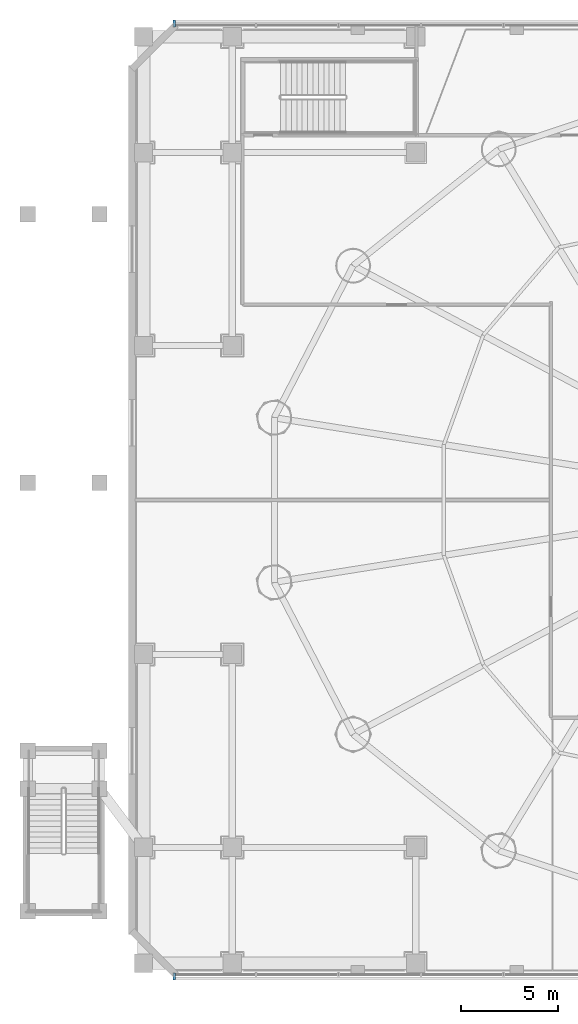
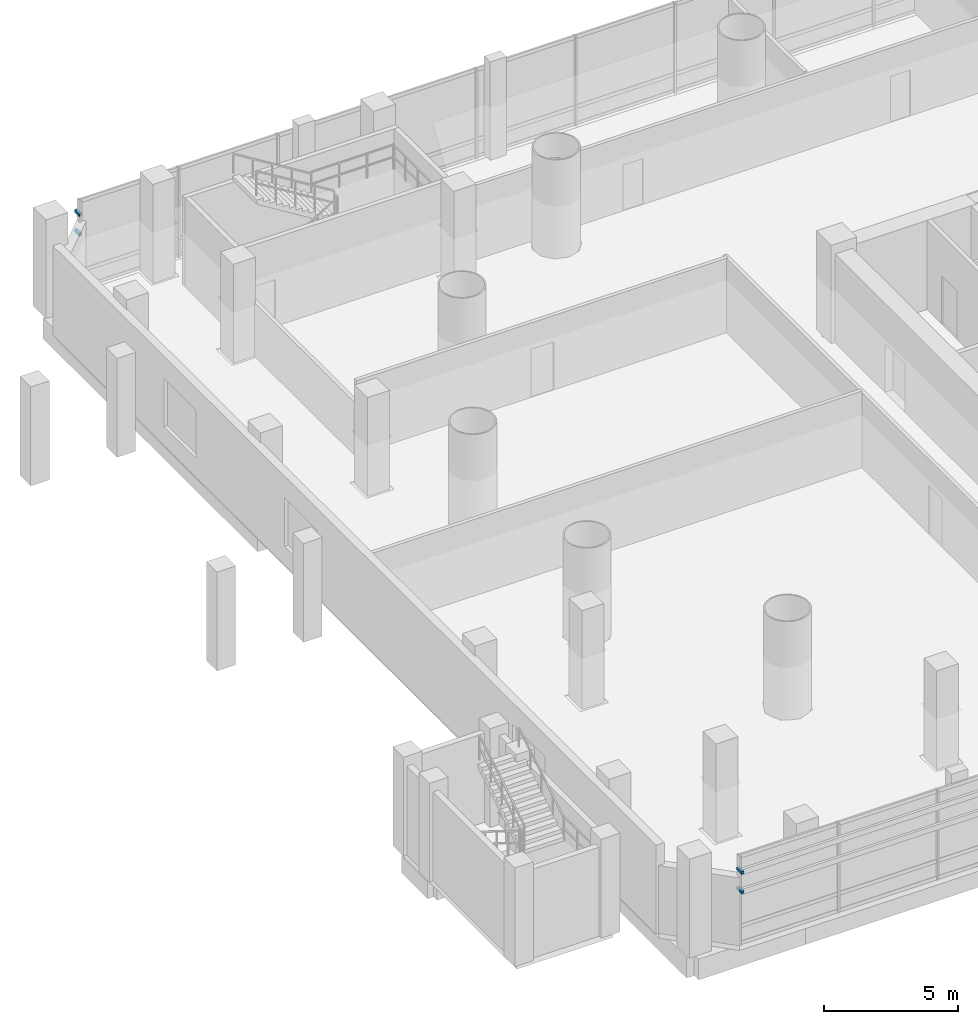
# One storey, part 25 of 36: 4 discrete accessories.
"""IFC4 building model written with IfcOpenShell, lengths in metres."""

from ifc_helpers import new_model, si_unit, direction, frame, origin, origin_2d, place, context, subcontext, project, spatial, rectangle, extrude, source, transform, mapped, material, layer, layer_set, type_object, element, save


model = new_model("IFC4")

# Units and contexts
model_context = context("Model", 3, precision=1e-05, world=origin(), true_north=direction((-0.2419218956, 0.970295726276)))
body_context = subcontext(model_context, "Body", "Model", "MODEL_VIEW")
ifc_project = project(units=[si_unit("LENGTHUNIT", "METRE"), si_unit("AREAUNIT", "SQUARE_METRE"), si_unit("VOLUMEUNIT", "CUBIC_METRE"), si_unit("PLANEANGLEUNIT", "RADIAN"), si_unit("MASSUNIT", "GRAM", prefix="KILO")], contexts=[model_context])

# Site, building, storey
site_placement = place(None, origin())
site = spatial("IfcSite", under=ifc_project, at=site_placement, CompositionType="ELEMENT")
building_placement = place(site_placement, origin())
building = spatial("IfcBuilding", under=site, at=building_placement, Name="Cobrevalo Terracotta Tower", CompositionType="ELEMENT")
storey_placement = place(building_placement, frame((0.0, 0.0, 14.39990234375)))
storey = spatial("IfcBuildingStorey", under=building, at=storey_placement, Name="L03", CompositionType="ELEMENT", Elevation=14.39990234375)

# Discrete accessories
ifc_material = material(Name="Brushed stainless steel", Category="steel")
ifc_layer = layer(ifc_material, 0.1201171875)
ifc_layer_set = layer_set([ifc_layer], Name="Brushed stainless steel")
discrete_accessory_type = type_object("IfcDiscreteAccessoryType", Name="Stainless Steel Facade & Canopy Support Bracket", PredefinedType="BRACKET", material=ifc_layer_set)
shared_shape = source(origin(), body_context, "Body", "SweptSolid", [
    extrude(rectangle(XDim=0.1201171875, YDim=0.360107421875, at=origin_2d()), origin(), (0.0, 0.0, 1.0), 0.1201171875),
])
for number, where, z_axis, x_axis, name in (
    (1, (5.989990234375, 2.110107421875, 2.450927734375), (0.0, 0.0, 1.0), (1.0, 0.0, 0.0), "CW-POD-L03-S stainless baguette support bracket 1-A"),
    (2, (5.989990234375, 2.110107421875, 3.342041015625), (0.0, 0.0, 1.0), (1.0, 0.0, 0.0), "CW-POD-L03-S stainless baguette support bracket 2-A"),
    (3, (5.989990234375, 51.489990234375, 2.450927734375), (0.0, 0.0, 1.0), (-1.0, 0.0, 0.0), "CW-POD-L03-N stainless baguette support bracket 1-B"),
    (4, (5.989990234375, 51.489990234375, 3.342041015625), (0.0, 0.0, 1.0), (-1.0, 0.0, 0.0), "CW-POD-L03-N stainless baguette support bracket 2-B"),
):
    element("IfcDiscreteAccessory", number, at=place(storey_placement, frame(where, z_axis=z_axis, x_axis=x_axis)), inside=storey, type_object=discrete_accessory_type, Name=name, PredefinedType="BRACKET", context=body_context, shape_type="MappedRepresentation", body=[
        mapped(shared_shape, transform((0.0, 0.0, 0.0), scale=1.0)),
    ])

save(model, "model.ifc")
